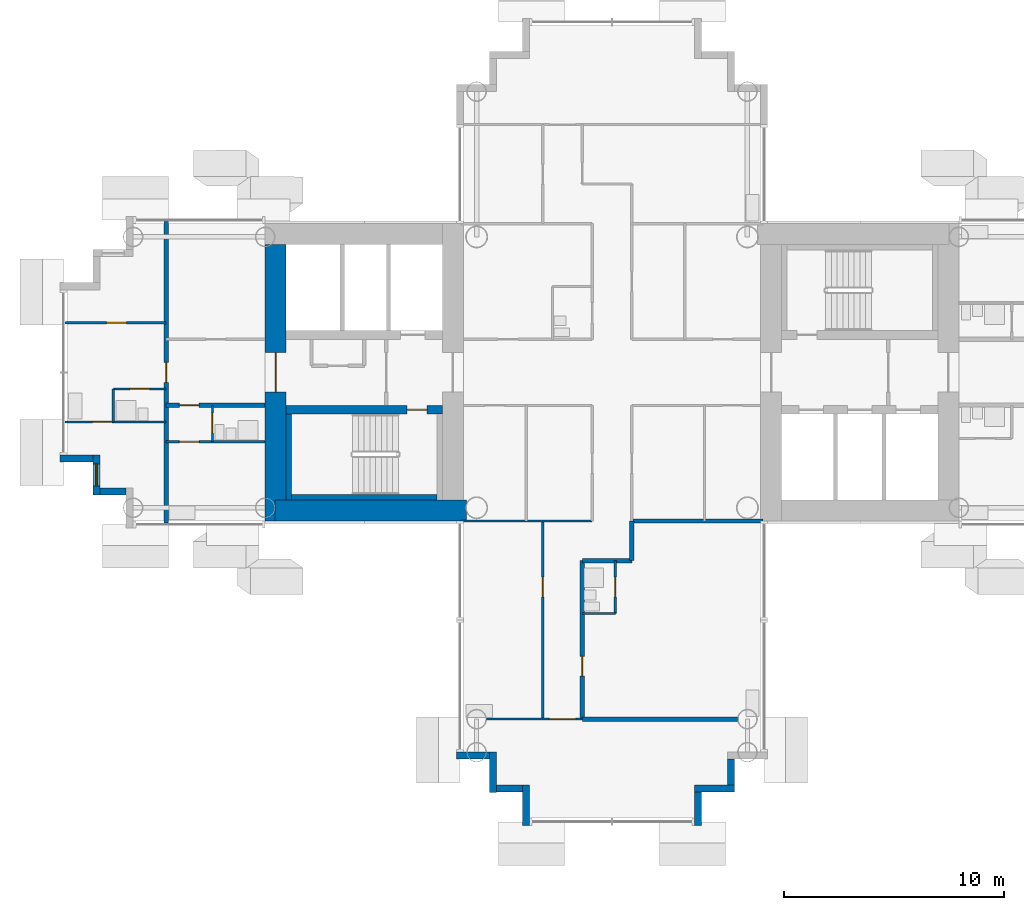
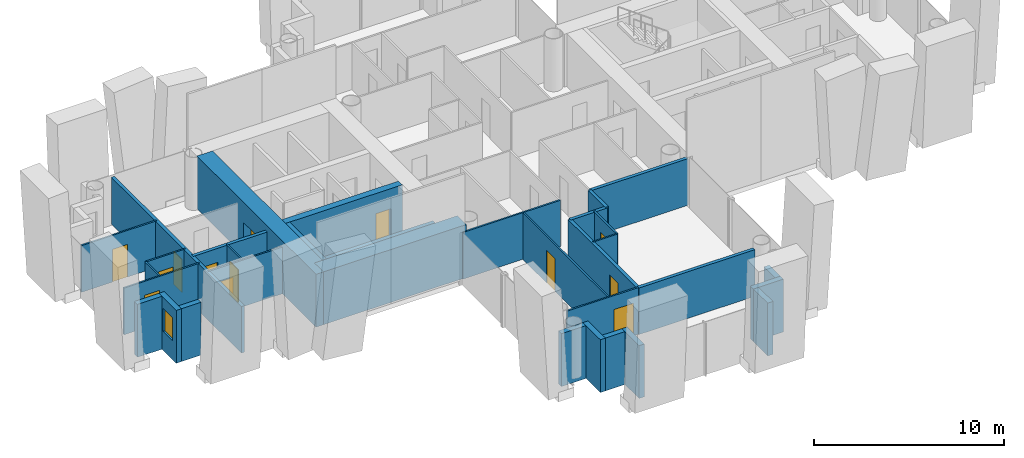
# One storey, part 8 of 21: 33 walls, 13 doors, 1 window, 14 openings.
"""IFC4 building model written with IfcOpenShell, lengths in metres."""

from ifc_helpers import new_model, si_unit, direction, frame, frame_2d, origin, place, context, subcontext, project, spatial, rectangle, extrude, material, layer, layer_set, type_object, element, fill, save


model = new_model("IFC4")

# Units and contexts
model_context = context("Model", 3, precision=1e-05, world=origin(), true_north=direction((0.0, 1.0)))
body_context = subcontext(model_context, "Body", "Model", "MODEL_VIEW")
ifc_project = project(units=[si_unit("LENGTHUNIT", "METRE"), si_unit("AREAUNIT", "SQUARE_METRE"), si_unit("VOLUMEUNIT", "CUBIC_METRE"), si_unit("PLANEANGLEUNIT", "RADIAN"), si_unit("MASSUNIT", "GRAM", prefix="KILO")], contexts=[model_context])

# Site, building, storey
site_placement = place(None, origin())
site = spatial("IfcSite", under=ifc_project, at=site_placement, CompositionType="ELEMENT")
building_placement = place(site_placement, origin())
building = spatial("IfcBuilding", under=site, at=building_placement, Name="Ipe Terrace Towers", CompositionType="ELEMENT")
storey_placement = place(building_placement, frame((0.0, 0.0, 107.199951171875)))
storey = spatial("IfcBuildingStorey", under=building, at=storey_placement, Name="L29", CompositionType="ELEMENT", Elevation=107.199951171875)

# Wall
ifc_material_1 = material(Name="Concrete C40/50 with buff precast cladding", Category="concrete")
ifc_layer_1 = layer(ifc_material_1, 0.320068359375)
ifc_layer_set_1 = layer_set([ifc_layer_1], Name="BUFF CLADDING WALL 320")
wall_type_1 = type_object("IfcWallType", Name="BUFF CLADDING WALL 320", PredefinedType="STANDARD", material=ifc_layer_set_1)
wall_1_placement = place(storey_placement, frame((-61.070068359375, -3.909912109375, -0.300048828125), z_axis=(0.0, 0.0, 1.0), x_axis=(1.0, 0.0, 0.0)))
element("IfcWall", 1, at=wall_1_placement, inside=storey, type_object=wall_type_1, Name="T1-W-L29-00a wall", PredefinedType="STANDARD", context=body_context, shape_type="SweptSolid", body=[
    extrude(rectangle(XDim=1.5, YDim=0.320068359375, at=frame_2d((0.75, 0.0))), origin(), (0.0, 0.0, 1.0), 3.400146484375),
])

# Wall, opening, window
wall_2_placement = place(storey_placement, frame((-59.409912109375, -3.75, -0.300048828125), z_axis=(0.0, 0.0, 1.0), x_axis=(0.0, -1.0, 0.0)))
wall_2 = element("IfcWall", 2, at=wall_2_placement, inside=storey, type_object=wall_type_1, Name="T1-W-L29-01a wall", PredefinedType="STANDARD", context=body_context, shape_type="SweptSolid", body=[
    extrude(rectangle(XDim=1.820068359375, YDim=0.320068359375, at=frame_2d((0.91015625, 0.0))), origin(), (0.0, 0.0, 1.0), 3.400146484375),
])
opening_1_placement = place(wall_2_placement, frame((0.409912109375, 0.0, 1.199951171875)))
opening_1 = element("IfcOpeningElement", 3, at=opening_1_placement, cuts=wall_2, Name="Opening T1-W-05-L29-01", PredefinedType="OPENING", context=body_context, shape_type="SweptSolid", body=[
    extrude(rectangle(XDim=1.0, YDim=1.5, at=frame_2d((0.5, 0.75))), frame((0.0, 0.169921875, 0.0), z_axis=(0.0, -1.0, 0.0), x_axis=(1.0, 0.0, 0.0)), (0.0, 0.0, 1.0), 0.340087890625),
])
ifc_material_2 = material(Name="Glass, clear laminated", Category="glass")
window_type = type_object("IfcWindowType", Name="DWELLING WINDOW 1000 x 1500", PartitioningType="SINGLE_PANEL", PredefinedType="WINDOW", material=ifc_material_2)
window_placement = place(opening_1_placement, origin())
window = element("IfcWindow", 4, at=window_placement, inside=storey, type_object=window_type, Name="W-05 window", OverallHeight=1.5, OverallWidth=1.0, PartitioningType="SINGLE_PANEL", PredefinedType="WINDOW", context=body_context, shape_type="SweptSolid", body=[
    extrude(rectangle(XDim=1.0, YDim=1.5, at=frame_2d((0.5, 0.75))), frame((0.0, 0.030029296875, 0.0), z_axis=(0.0, -1.0, 0.0), x_axis=(1.0, 0.0, 0.0)), (0.0, 0.0, 1.0), 0.06005859375),
])
fill(opening_1, window)

# Walls
wall_3_placement = place(storey_placement, frame((-59.25, -5.409912109375, -0.300048828125), z_axis=(0.0, 0.0, 1.0), x_axis=(1.0, 0.0, 0.0)))
element("IfcWall", 5, at=wall_3_placement, inside=storey, type_object=wall_type_1, Name="T1-W-L29-02a wall", PredefinedType="STANDARD", context=body_context, shape_type="SweptSolid", body=[
    extrude(rectangle(XDim=1.179931640625, YDim=0.320068359375, at=frame_2d((0.58984375, 0.0))), origin(), (0.0, 0.0, 1.0), 3.400146484375),
])
wall_4_placement = place(storey_placement, frame((-43.070068359375, -17.409912109375, -0.300048828125), z_axis=(0.0, 0.0, 1.0), x_axis=(1.0, 0.0, 0.0)))
element("IfcWall", 6, at=wall_4_placement, inside=storey, type_object=wall_type_1, Name="T1-W-L29-08a wall", PredefinedType="STANDARD", context=body_context, shape_type="SweptSolid", body=[
    extrude(rectangle(XDim=1.5, YDim=0.320068359375, at=frame_2d((0.75, 0.0))), origin(), (0.0, 0.0, 1.0), 3.400146484375),
])
wall_5_placement = place(storey_placement, frame((-41.409912109375, -17.25, -0.300048828125), z_axis=(0.0, 0.0, 1.0), x_axis=(0.0, -1.0, 0.0)))
element("IfcWall", 7, at=wall_5_placement, inside=storey, type_object=wall_type_1, Name="T1-W-L29-09a wall", PredefinedType="STANDARD", context=body_context, shape_type="SweptSolid", body=[
    extrude(rectangle(XDim=1.820068359375, YDim=0.320068359375, at=frame_2d((0.91015625, 0.0))), origin(), (0.0, 0.0, 1.0), 3.400146484375),
])
wall_6_placement = place(storey_placement, frame((-41.25, -18.909912109375, -0.300048828125), z_axis=(0.0, 0.0, 1.0), x_axis=(1.0, 0.0, 0.0)))
element("IfcWall", 8, at=wall_6_placement, inside=storey, type_object=wall_type_1, Name="T1-W-L29-10a wall", PredefinedType="STANDARD", context=body_context, shape_type="SweptSolid", body=[
    extrude(rectangle(XDim=1.179931640625, YDim=0.320068359375, at=frame_2d((0.58984375, 0.0))), origin(), (0.0, 0.0, 1.0), 3.400146484375),
])
wall_7_placement = place(storey_placement, frame((-39.909912109375, -18.75, -0.300048828125), z_axis=(0.0, 0.0, 1.0), x_axis=(0.0, -1.0, 0.0)))
element("IfcWall", 9, at=wall_7_placement, inside=storey, type_object=wall_type_1, Name="T1-W-L29-11a wall", PredefinedType="STANDARD", context=body_context, shape_type="SweptSolid", body=[
    extrude(rectangle(XDim=1.820068359375, YDim=0.320068359375, at=frame_2d((0.91015625, 0.0))), origin(), (0.0, 0.0, 1.0), 3.400146484375),
])
wall_8_placement = place(storey_placement, frame((-32.090087890625, -20.570068359375, -0.300048828125), z_axis=(0.0, 0.0, 1.0), x_axis=(0.0, 1.0, 0.0)))
element("IfcWall", 10, at=wall_8_placement, inside=storey, type_object=wall_type_1, Name="T1-W-L29-13a wall", PredefinedType="STANDARD", context=body_context, shape_type="SweptSolid", body=[
    extrude(rectangle(XDim=1.5, YDim=0.320068359375, at=frame_2d((0.75, 0.0))), origin(), (0.0, 0.0, 1.0), 3.400146484375),
])
wall_9_placement = place(storey_placement, frame((-32.25, -18.909912109375, -0.300048828125), z_axis=(0.0, 0.0, 1.0), x_axis=(1.0, 0.0, 0.0)))
element("IfcWall", 11, at=wall_9_placement, inside=storey, type_object=wall_type_1, Name="T1-W-L29-14a wall", PredefinedType="STANDARD", context=body_context, shape_type="SweptSolid", body=[
    extrude(rectangle(XDim=1.820068359375, YDim=0.320068359375, at=frame_2d((0.91015625, 0.0))), origin(), (0.0, 0.0, 1.0), 3.400146484375),
])
wall_10_placement = place(storey_placement, frame((-30.590087890625, -18.75, -0.300048828125), z_axis=(0.0, 0.0, 1.0), x_axis=(0.0, 1.0, 0.0)))
element("IfcWall", 12, at=wall_10_placement, inside=storey, type_object=wall_type_1, Name="T1-W-L29-15a wall", PredefinedType="STANDARD", context=body_context, shape_type="SweptSolid", body=[
    extrude(rectangle(XDim=1.179931640625, YDim=0.320068359375, at=frame_2d((0.58984375, 0.0))), origin(), (0.0, 0.0, 1.0), 3.400146484375),
])
ifc_material_3 = material(Name="Gypsum board partition", Category="plasterboard")
ifc_layer_2 = layer(ifc_material_3, 0.10009765625)
ifc_layer_set_2 = layer_set([ifc_layer_2], Name="Gypsum board partition 100 mm")
wall_type_2 = type_object("IfcWallType", Name="Gypsum board partition 100 mm", PredefinedType="PARTITIONING", material=ifc_layer_set_2)
wall_11_placement = place(storey_placement, frame((-58.64990234375, -2.25, 0.0), z_axis=(0.0, 0.0, 1.0), x_axis=(0.0, 1.0, 0.0)))
element("IfcWall", 13, at=wall_11_placement, inside=storey, type_object=wall_type_2, Name="Gypsum board partition T1 L29 W01", PredefinedType="PARTITIONING", context=body_context, shape_type="SweptSolid", body=[
    extrude(rectangle(XDim=1.5, YDim=0.10009765625, at=frame_2d((0.75, 0.0))), origin(), (0.0, 0.0, 1.0), 3.0),
])

# Wall, opening, door
wall_12_placement = place(storey_placement, frame((-54.14990234375, -3.14990234375, 0.0), z_axis=(0.0, 0.0, 1.0), x_axis=(0.0, 1.0, 0.0)))
wall_12 = element("IfcWall", 14, at=wall_12_placement, inside=storey, type_object=wall_type_2, Name="Gypsum board partition T1 L29 W03", PredefinedType="PARTITIONING", context=body_context, shape_type="SweptSolid", body=[
    extrude(rectangle(XDim=1.64990234375, YDim=0.10009765625, at=frame_2d((0.824951171875, 0.0))), origin(), (0.0, 0.0, 1.0), 3.0),
])
opening_2_placement = place(wall_12_placement, frame((0.39990234375, 0.0, 0.0)))
opening_2 = element("IfcOpeningElement", 15, at=opening_2_placement, cuts=wall_12, Name="Opening T1-Z2F-24", PredefinedType="OPENING", context=body_context, shape_type="SweptSolid", body=[
    extrude(rectangle(XDim=0.89990234375, YDim=2.10009765625, at=frame_2d((0.449951171875, 1.050048828125))), frame((0.0, 0.06005859375, 0.0), z_axis=(0.0, -1.0, 0.0), x_axis=(1.0, 0.0, 0.0)), (0.0, 0.0, 1.0), 0.1201171875),
])
ifc_material_4 = material(Name="Timber door leaf", Category="wood")
door_type_1 = type_object("IfcDoorType", Name="Bathroom door 900 x 2100", OperationType="NOTDEFINED", PredefinedType="DOOR", material=ifc_material_4)
door_1_placement = place(opening_2_placement, origin())
door_1 = element("IfcDoor", 16, at=door_1_placement, inside=storey, type_object=door_type_1, Name="Bathroom door T1-Z2F-24", OperationType="SINGLE_SWING_RIGHT", OverallHeight=2.10009765625, OverallWidth=0.89990234375, PredefinedType="DOOR", context=body_context, shape_type="SweptSolid", body=[
    extrude(rectangle(XDim=0.89990234375, YDim=2.10009765625, at=frame_2d((0.449951171875, 1.050048828125))), frame((0.0, 0.02490234375, 0.0), z_axis=(0.0, -1.0, 0.0), x_axis=(1.0, 0.0, 0.0)), (0.0, 0.0, 1.0), 0.050048828125),
])
fill(opening_2, door_1)

wall_13_placement = place(storey_placement, frame((-39.14990234375, -15.75, 0.0), z_axis=(0.0, 0.0, 1.0), x_axis=(0.0, 1.0, 0.0)))
wall_13 = element("IfcWall", 17, at=wall_13_placement, inside=storey, type_object=wall_type_2, Name="Gypsum board partition T1 L29 W05", PredefinedType="PARTITIONING", context=body_context, shape_type="SweptSolid", body=[
    extrude(rectangle(XDim=9.0, YDim=0.10009765625, at=frame_2d((4.5, 0.0))), origin(), (0.0, 0.0, 1.0), 3.0),
])
opening_3_placement = place(wall_13_placement, frame((5.550048828125, 0.0, 0.0)))
opening_3 = element("IfcOpeningElement", 18, at=opening_3_placement, cuts=wall_13, Name="Opening T1-Z2F-14", PredefinedType="OPENING", context=body_context, shape_type="SweptSolid", body=[
    extrude(rectangle(XDim=0.89990234375, YDim=2.10009765625, at=frame_2d((0.449951171875, 1.050048828125))), frame((0.0, 0.06005859375, 0.0), z_axis=(0.0, -1.0, 0.0), x_axis=(1.0, 0.0, 0.0)), (0.0, 0.0, 1.0), 0.1201171875),
])
ifc_material_5 = material(Name="Timber door leaf", Category="wood")
door_type_2 = type_object("IfcDoorType", Name="Lounge door 900 x 2100", OperationType="NOTDEFINED", PredefinedType="DOOR", material=ifc_material_5)
door_2_placement = place(opening_3_placement, origin())
door_2 = element("IfcDoor", 19, at=door_2_placement, inside=storey, type_object=door_type_2, Name="Lounge door T1-Z2F-14", OperationType="SINGLE_SWING_LEFT", OverallHeight=2.10009765625, OverallWidth=0.89990234375, PredefinedType="DOOR", context=body_context, shape_type="SweptSolid", body=[
    extrude(rectangle(XDim=0.89990234375, YDim=2.10009765625, at=frame_2d((0.449951171875, 1.050048828125))), frame((0.0, 0.02490234375, 0.0), z_axis=(0.0, -1.0, 0.0), x_axis=(1.0, 0.0, 0.0)), (0.0, 0.0, 1.0), 0.050048828125),
])
fill(opening_3, door_2)

wall_14_placement = place(storey_placement, frame((-35.85009765625, -10.949951171875, 0.0), z_axis=(0.0, 0.0, 1.0), x_axis=(0.0, 1.0, 0.0)))
wall_14 = element("IfcWall", 20, at=wall_14_placement, inside=storey, type_object=wall_type_2, Name="Gypsum board partition T1 L29 W12", PredefinedType="PARTITIONING", context=body_context, shape_type="SweptSolid", body=[
    extrude(rectangle(XDim=2.39990234375, YDim=0.10009765625, at=frame_2d((1.199951171875, 0.0))), origin(), (0.0, 0.0, 1.0), 3.0),
])
opening_4_placement = place(wall_14_placement, frame((0.75, 0.0, 0.0)))
opening_4 = element("IfcOpeningElement", 21, at=opening_4_placement, cuts=wall_14, Name="Opening T1-Z2F-13", PredefinedType="OPENING", context=body_context, shape_type="SweptSolid", body=[
    extrude(rectangle(XDim=0.89990234375, YDim=2.10009765625, at=frame_2d((0.449951171875, 1.050048828125))), frame((0.0, 0.06005859375, 0.0), z_axis=(0.0, -1.0, 0.0), x_axis=(1.0, 0.0, 0.0)), (0.0, 0.0, 1.0), 0.1201171875),
])
door_3_placement = place(opening_4_placement, origin())
door_3 = element("IfcDoor", 22, at=door_3_placement, inside=storey, type_object=door_type_1, Name="Bathroom door T1-Z2F-13", OperationType="SINGLE_SWING_LEFT", OverallHeight=2.10009765625, OverallWidth=0.89990234375, PredefinedType="DOOR", context=body_context, shape_type="SweptSolid", body=[
    extrude(rectangle(XDim=0.89990234375, YDim=2.10009765625, at=frame_2d((0.449951171875, 1.050048828125))), frame((0.0, 0.02490234375, 0.0), z_axis=(0.0, -1.0, 0.0), x_axis=(1.0, 0.0, 0.0)), (0.0, 0.0, 1.0), 0.050048828125),
])
fill(opening_4, door_3)

wall_15_placement = place(storey_placement, frame((-41.699951171875, -15.75, 0.0), z_axis=(0.0, 0.0, 1.0), x_axis=(1.0, 0.0, 0.0)))
wall_15 = element("IfcWall", 23, at=wall_15_placement, inside=storey, type_object=wall_type_2, Name="Gypsum board partition T1 L29 W23", PredefinedType="PARTITIONING", context=body_context, shape_type="SweptSolid", body=[
    extrude(rectangle(XDim=4.349853515625, YDim=0.10009765625, at=frame_2d((2.1748046875, 0.0))), origin(), (0.0, 0.0, 1.0), 3.0),
])
opening_5_placement = place(wall_15_placement, frame((2.85009765625, 0.0, 0.0)))
opening_5 = element("IfcOpeningElement", 24, at=opening_5_placement, cuts=wall_15, Name="Opening T1-Z2F-15", PredefinedType="OPENING", context=body_context, shape_type="SweptSolid", body=[
    extrude(rectangle(XDim=1.199951171875, YDim=2.10009765625, at=frame_2d((0.60009765625, 1.050048828125))), frame((0.0, 0.06005859375, 0.0), z_axis=(0.0, -1.0, 0.0), x_axis=(1.0, 0.0, 0.0)), (0.0, 0.0, 1.0), 0.1201171875),
])
ifc_material_6 = material(Name="Timber door leaf", Category="wood")
door_type_3 = type_object("IfcDoorType", Name="Lounge door 1200 x 2100", OperationType="NOTDEFINED", PredefinedType="DOOR", material=ifc_material_6)
door_4_placement = place(opening_5_placement, origin())
door_4 = element("IfcDoor", 25, at=door_4_placement, inside=storey, type_object=door_type_3, Name="Lounge door T1-Z2F-15", OperationType="SINGLE_SWING_RIGHT", OverallHeight=2.10009765625, OverallWidth=1.199951171875, PredefinedType="DOOR", context=body_context, shape_type="SweptSolid", body=[
    extrude(rectangle(XDim=1.199951171875, YDim=2.10009765625, at=frame_2d((0.60009765625, 1.050048828125))), frame((0.0, 0.02490234375, 0.0), z_axis=(0.0, -1.0, 0.0), x_axis=(1.0, 0.0, 0.0)), (0.0, 0.0, 1.0), 0.050048828125),
])
fill(opening_5, door_4)

# Walls
wall_16_placement = place(storey_placement, frame((-37.35009765625, -10.949951171875, 0.0), z_axis=(0.0, 0.0, 1.0), x_axis=(1.0, 0.0, 0.0)))
element("IfcWall", 26, at=wall_16_placement, inside=storey, type_object=wall_type_2, Name="Gypsum board partition T1 L29 W25", PredefinedType="PARTITIONING", context=body_context, shape_type="SweptSolid", body=[
    extrude(rectangle(XDim=1.5, YDim=0.10009765625, at=frame_2d((0.75, 0.0))), origin(), (0.0, 0.0, 1.0), 3.0),
])
wall_17_placement = place(storey_placement, frame((-42.85009765625, -6.75, 0.0), z_axis=(0.0, 0.0, 1.0), x_axis=(1.0, 0.0, 0.0)))
element("IfcWall", 27, at=wall_17_placement, inside=storey, type_object=wall_type_2, Name="Gypsum board partition T1 L29 W27", PredefinedType="PARTITIONING", context=body_context, shape_type="SweptSolid", body=[
    extrude(rectangle(XDim=5.9501953125, YDim=0.10009765625, at=frame_2d((2.97509765625, 0.0))), origin(), (0.0, 0.0, 1.0), 3.0),
])

# Wall, opening, door
wall_18_placement = place(storey_placement, frame((-56.25, -3.14990234375, 0.0), z_axis=(0.0, 0.0, 1.0), x_axis=(1.0, 0.0, 0.0)))
wall_18 = element("IfcWall", 28, at=wall_18_placement, inside=storey, type_object=wall_type_2, Name="Gypsum board partition T1 L29 W29", PredefinedType="PARTITIONING", context=body_context, shape_type="SweptSolid", body=[
    extrude(rectangle(XDim=4.5, YDim=0.10009765625, at=frame_2d((2.25, 0.0))), origin(), (0.0, 0.0, 1.0), 3.0),
])
opening_6_placement = place(wall_18_placement, frame((0.60009765625, 0.0, 0.0)))
opening_6 = element("IfcOpeningElement", 29, at=opening_6_placement, cuts=wall_18, Name="Opening T1-Z2F-23", PredefinedType="OPENING", context=body_context, shape_type="SweptSolid", body=[
    extrude(rectangle(XDim=0.89990234375, YDim=2.10009765625, at=frame_2d((0.449951171875, 1.050048828125))), frame((0.0, 0.06005859375, 0.0), z_axis=(0.0, -1.0, 0.0), x_axis=(1.0, 0.0, 0.0)), (0.0, 0.0, 1.0), 0.1201171875),
])
ifc_material_7 = material(Name="Timber door leaf", Category="wood")
door_type_4 = type_object("IfcDoorType", Name="Bedroom door 900 x 2100", OperationType="NOTDEFINED", PredefinedType="DOOR", material=ifc_material_7)
door_5_placement = place(opening_6_placement, origin())
door_5 = element("IfcDoor", 30, at=door_5_placement, inside=storey, type_object=door_type_4, Name="Bedroom door T1-Z2F-23", OperationType="SINGLE_SWING_LEFT", OverallHeight=2.10009765625, OverallWidth=0.89990234375, PredefinedType="DOOR", context=body_context, shape_type="SweptSolid", body=[
    extrude(rectangle(XDim=0.89990234375, YDim=2.10009765625, at=frame_2d((0.449951171875, 1.050048828125))), frame((0.0, 0.02490234375, 0.0), z_axis=(0.0, -1.0, 0.0), x_axis=(1.0, 0.0, 0.0)), (0.0, 0.0, 1.0), 0.050048828125),
])
fill(opening_6, door_5)

wall_19_placement = place(storey_placement, frame((-60.85009765625, -2.25, 0.0), z_axis=(0.0, 0.0, 1.0), x_axis=(1.0, 0.0, 0.0)))
wall_19 = element("IfcWall", 31, at=wall_19_placement, inside=storey, type_object=wall_type_2, Name="Gypsum board partition T1 L29 W31", PredefinedType="PARTITIONING", context=body_context, shape_type="SweptSolid", body=[
    extrude(rectangle(XDim=4.60009765625, YDim=0.10009765625, at=frame_2d((2.300048828125, 0.0))), origin(), (0.0, 0.0, 1.0), 3.0),
])
opening_7_placement = place(wall_19_placement, frame((1.25, 0.0, 0.0)))
opening_7 = element("IfcOpeningElement", 32, at=opening_7_placement, cuts=wall_19, Name="Opening T1-Z2F-28", PredefinedType="OPENING", context=body_context, shape_type="SweptSolid", body=[
    extrude(rectangle(XDim=0.89990234375, YDim=2.10009765625, at=frame_2d((0.449951171875, 1.050048828125))), frame((0.0, 0.06005859375, 0.0), z_axis=(0.0, -1.0, 0.0), x_axis=(1.0, 0.0, 0.0)), (0.0, 0.0, 1.0), 0.1201171875),
])
door_6_placement = place(opening_7_placement, origin())
door_6 = element("IfcDoor", 33, at=door_6_placement, inside=storey, type_object=door_type_4, Name="Bedroom door T1-Z2F-28", OperationType="SINGLE_SWING_LEFT", OverallHeight=2.10009765625, OverallWidth=0.89990234375, PredefinedType="DOOR", context=body_context, shape_type="SweptSolid", body=[
    extrude(rectangle(XDim=0.89990234375, YDim=2.10009765625, at=frame_2d((0.449951171875, 1.050048828125))), frame((0.0, 0.02490234375, 0.0), z_axis=(0.0, -1.0, 0.0), x_axis=(1.0, 0.0, 0.0)), (0.0, 0.0, 1.0), 0.050048828125),
])
fill(opening_7, door_6)

wall_20_placement = place(storey_placement, frame((-58.64990234375, -0.75, 0.0), z_axis=(0.0, 0.0, 1.0), x_axis=(1.0, 0.0, 0.0)))
wall_20 = element("IfcWall", 34, at=wall_20_placement, inside=storey, type_object=wall_type_2, Name="Gypsum board partition T1 L29 W36", PredefinedType="PARTITIONING", context=body_context, shape_type="SweptSolid", body=[
    extrude(rectangle(XDim=2.39990234375, YDim=0.10009765625, at=frame_2d((1.199951171875, 0.0))), origin(), (0.0, 0.0, 1.0), 3.0),
])
opening_8_placement = place(wall_20_placement, frame((0.75, 0.0, 0.0)))
opening_8 = element("IfcOpeningElement", 35, at=opening_8_placement, cuts=wall_20, Name="Opening T1-Z2F-26", PredefinedType="OPENING", context=body_context, shape_type="SweptSolid", body=[
    extrude(rectangle(XDim=0.89990234375, YDim=2.10009765625, at=frame_2d((0.449951171875, 1.050048828125))), frame((0.0, 0.06005859375, 0.0), z_axis=(0.0, -1.0, 0.0), x_axis=(1.0, 0.0, 0.0)), (0.0, 0.0, 1.0), 0.1201171875),
])
door_7_placement = place(opening_8_placement, origin())
door_7 = element("IfcDoor", 36, at=door_7_placement, inside=storey, type_object=door_type_1, Name="Bathroom door T1-Z2F-26", OperationType="SINGLE_SWING_RIGHT", OverallHeight=2.10009765625, OverallWidth=0.89990234375, PredefinedType="DOOR", context=body_context, shape_type="SweptSolid", body=[
    extrude(rectangle(XDim=0.89990234375, YDim=2.10009765625, at=frame_2d((0.449951171875, 1.050048828125))), frame((0.0, 0.02490234375, 0.0), z_axis=(0.0, -1.0, 0.0), x_axis=(1.0, 0.0, 0.0)), (0.0, 0.0, 1.0), 0.050048828125),
])
fill(opening_8, door_7)

wall_21_placement = place(storey_placement, frame((-60.85009765625, 2.25, 0.0), z_axis=(0.0, 0.0, 1.0), x_axis=(1.0, 0.0, 0.0)))
wall_21 = element("IfcWall", 37, at=wall_21_placement, inside=storey, type_object=wall_type_2, Name="Gypsum board partition T1 L29 W41", PredefinedType="PARTITIONING", context=body_context, shape_type="SweptSolid", body=[
    extrude(rectangle(XDim=4.60009765625, YDim=0.10009765625, at=frame_2d((2.300048828125, 0.0))), origin(), (0.0, 0.0, 1.0), 3.0),
])
opening_9_placement = place(wall_21_placement, frame((1.89990234375, 0.0, 0.0)))
opening_9 = element("IfcOpeningElement", 38, at=opening_9_placement, cuts=wall_21, Name="Opening T1-Z2F-29", PredefinedType="OPENING", context=body_context, shape_type="SweptSolid", body=[
    extrude(rectangle(XDim=0.89990234375, YDim=2.10009765625, at=frame_2d((0.449951171875, 1.050048828125))), frame((0.0, 0.06005859375, 0.0), z_axis=(0.0, -1.0, 0.0), x_axis=(1.0, 0.0, 0.0)), (0.0, 0.0, 1.0), 0.1201171875),
])
door_8_placement = place(opening_9_placement, origin())
door_8 = element("IfcDoor", 39, at=door_8_placement, inside=storey, type_object=door_type_4, Name="Bedroom door T1-Z2F-29", OperationType="SINGLE_SWING_LEFT", OverallHeight=2.10009765625, OverallWidth=0.89990234375, PredefinedType="DOOR", context=body_context, shape_type="SweptSolid", body=[
    extrude(rectangle(XDim=0.89990234375, YDim=2.10009765625, at=frame_2d((0.449951171875, 1.050048828125))), frame((0.0, 0.02490234375, 0.0), z_axis=(0.0, -1.0, 0.0), x_axis=(1.0, 0.0, 0.0)), (0.0, 0.0, 1.0), 0.050048828125),
])
fill(opening_9, door_8)

ifc_material_8 = material(Name="Gypsum board party wall", Category="plasterboard")
ifc_layer_3 = layer(ifc_material_8, 0.199951171875)
ifc_layer_set_3 = layer_set([ifc_layer_3], Name="Gypsum board party wall 200 mm")
wall_type_3 = type_object("IfcWallType", Name="Gypsum board party wall 200 mm", PredefinedType="SOLIDWALL", material=ifc_layer_set_3)
wall_22_placement = place(storey_placement, frame((-56.25, -6.85009765625, 0.0), z_axis=(0.0, 0.0, 1.0), x_axis=(0.0, 1.0, 0.0)))
wall_22 = element("IfcWall", 40, at=wall_22_placement, inside=storey, type_object=wall_type_3, Name="Gypsum board party wall T1 L29 W02", PredefinedType="SOLIDWALL", context=body_context, shape_type="SweptSolid", body=[
    extrude(rectangle(XDim=13.7001953125, YDim=0.199951171875, at=frame_2d((6.85009765625, 0.0))), origin(), (0.0, 0.0, 1.0), 3.0),
])
opening_10_placement = place(wall_22_placement, frame((6.39990234375, 0.0, 0.0)))
opening_10 = element("IfcOpeningElement", 41, at=opening_10_placement, cuts=wall_22, Name="Opening T1-Z2F-27", PredefinedType="OPENING", context=body_context, shape_type="SweptSolid", body=[
    extrude(rectangle(XDim=0.89990234375, YDim=2.10009765625, at=frame_2d((0.449951171875, 1.050048828125))), frame((0.0, 0.10986328125, 0.0), z_axis=(0.0, -1.0, 0.0), x_axis=(1.0, 0.0, 0.0)), (0.0, 0.0, 1.0), 0.219970703125),
])
ifc_material_9 = material(Name="Fire-rated timber door leaf", Category="wood")
door_type_5 = type_object("IfcDoorType", Name="Flat entrance door 900 x 2100 FD30S", OperationType="NOTDEFINED", PredefinedType="DOOR", material=ifc_material_9)
door_9_placement = place(opening_10_placement, origin())
door_9 = element("IfcDoor", 42, at=door_9_placement, inside=storey, type_object=door_type_5, Name="Flat entrance door T1-Z2F-27", OperationType="SINGLE_SWING_LEFT", OverallHeight=2.10009765625, OverallWidth=0.89990234375, PredefinedType="DOOR", context=body_context, shape_type="SweptSolid", body=[
    extrude(rectangle(XDim=0.89990234375, YDim=2.10009765625, at=frame_2d((0.449951171875, 1.050048828125))), frame((0.0, 0.02490234375, 0.0), z_axis=(0.0, -1.0, 0.0), x_axis=(1.0, 0.0, 0.0)), (0.0, 0.0, 1.0), 0.050048828125),
])
fill(opening_10, door_9)

wall_23_placement = place(storey_placement, frame((-37.35009765625, -15.75, 0.0), z_axis=(0.0, 0.0, 1.0), x_axis=(0.0, 1.0, 0.0)))
wall_23 = element("IfcWall", 43, at=wall_23_placement, inside=storey, type_object=wall_type_3, Name="Gypsum board party wall T1 L29 W09", PredefinedType="SOLIDWALL", context=body_context, shape_type="SweptSolid", body=[
    extrude(rectangle(XDim=7.199951171875, YDim=0.199951171875, at=frame_2d((3.60009765625, 0.0))), origin(), (0.0, 0.0, 1.0), 3.0),
])
opening_11_placement = place(wall_23_placement, frame((1.949951171875, 0.0, 0.0)))
opening_11 = element("IfcOpeningElement", 44, at=opening_11_placement, cuts=wall_23, Name="Opening T1-Z2F-12", PredefinedType="OPENING", context=body_context, shape_type="SweptSolid", body=[
    extrude(rectangle(XDim=0.89990234375, YDim=2.10009765625, at=frame_2d((0.449951171875, 1.050048828125))), frame((0.0, 0.10986328125, 0.0), z_axis=(0.0, -1.0, 0.0), x_axis=(1.0, 0.0, 0.0)), (0.0, 0.0, 1.0), 0.219970703125),
])
door_10_placement = place(opening_11_placement, origin())
door_10 = element("IfcDoor", 45, at=door_10_placement, inside=storey, type_object=door_type_5, Name="Flat entrance door T1-Z2F-12", OperationType="SINGLE_SWING_LEFT", OverallHeight=2.10009765625, OverallWidth=0.89990234375, PredefinedType="DOOR", context=body_context, shape_type="SweptSolid", body=[
    extrude(rectangle(XDim=0.89990234375, YDim=2.10009765625, at=frame_2d((0.449951171875, 1.050048828125))), frame((0.0, 0.02490234375, 0.0), z_axis=(0.0, -1.0, 0.0), x_axis=(1.0, 0.0, 0.0)), (0.0, 0.0, 1.0), 0.050048828125),
])
fill(opening_11, door_10)

# Walls
wall_24_placement = place(storey_placement, frame((-35.10009765625, -8.550048828125, 0.0), z_axis=(0.0, 0.0, 1.0), x_axis=(0.0, 1.0, 0.0)))
element("IfcWall", 46, at=wall_24_placement, inside=storey, type_object=wall_type_3, Name="Gypsum board party wall T1 L29 W15", PredefinedType="SOLIDWALL", context=body_context, shape_type="SweptSolid", body=[
    extrude(rectangle(XDim=1.800048828125, YDim=0.199951171875, at=frame_2d((0.89990234375, 0.0))), origin(), (0.0, 0.0, 1.0), 3.0),
])
wall_25_placement = place(storey_placement, frame((-37.35009765625, -15.75, 0.0), z_axis=(0.0, 0.0, 1.0), x_axis=(1.0, 0.0, 0.0)))
element("IfcWall", 47, at=wall_25_placement, inside=storey, type_object=wall_type_3, Name="Gypsum board party wall T1 L29 W24", PredefinedType="SOLIDWALL", context=body_context, shape_type="SweptSolid", body=[
    extrude(rectangle(XDim=7.050048828125, YDim=0.199951171875, at=frame_2d((3.52490234375, 0.0))), origin(), (0.0, 0.0, 1.0), 3.0),
])
wall_26_placement = place(storey_placement, frame((-37.35009765625, -8.550048828125, 0.0), z_axis=(0.0, 0.0, 1.0), x_axis=(1.0, 0.0, 0.0)))
element("IfcWall", 48, at=wall_26_placement, inside=storey, type_object=wall_type_3, Name="Gypsum board party wall T1 L29 W26", PredefinedType="SOLIDWALL", context=body_context, shape_type="SweptSolid", body=[
    extrude(rectangle(XDim=2.25, YDim=0.199951171875, at=frame_2d((1.125, 0.0))), origin(), (0.0, 0.0, 1.0), 3.0),
])
wall_27_placement = place(storey_placement, frame((-35.10009765625, -6.75, 0.0), z_axis=(0.0, 0.0, 1.0), x_axis=(1.0, 0.0, 0.0)))
element("IfcWall", 49, at=wall_27_placement, inside=storey, type_object=wall_type_3, Name="Gypsum board party wall T1 L29 W28", PredefinedType="SOLIDWALL", context=body_context, shape_type="SweptSolid", body=[
    extrude(rectangle(XDim=5.9501953125, YDim=0.199951171875, at=frame_2d((2.97509765625, 0.0))), origin(), (0.0, 0.0, 1.0), 3.0),
])

# Wall, opening, door
wall_28_placement = place(storey_placement, frame((-56.25, -1.5, 0.0), z_axis=(0.0, 0.0, 1.0), x_axis=(1.0, 0.0, 0.0)))
wall_28 = element("IfcWall", 50, at=wall_28_placement, inside=storey, type_object=wall_type_3, Name="Gypsum board party wall T1 L29 W34", PredefinedType="SOLIDWALL", context=body_context, shape_type="SweptSolid", body=[
    extrude(rectangle(XDim=4.5, YDim=0.199951171875, at=frame_2d((2.25, 0.0))), origin(), (0.0, 0.0, 1.0), 3.0),
])
opening_12_placement = place(wall_28_placement, frame((0.60009765625, 0.0, 0.0)))
opening_12 = element("IfcOpeningElement", 51, at=opening_12_placement, cuts=wall_28, Name="Opening T1-Z2F-22", PredefinedType="OPENING", context=body_context, shape_type="SweptSolid", body=[
    extrude(rectangle(XDim=0.89990234375, YDim=2.10009765625, at=frame_2d((0.449951171875, 1.050048828125))), frame((0.0, 0.10986328125, 0.0), z_axis=(0.0, -1.0, 0.0), x_axis=(1.0, 0.0, 0.0)), (0.0, 0.0, 1.0), 0.219970703125),
])
door_11_placement = place(opening_12_placement, origin())
door_11 = element("IfcDoor", 52, at=door_11_placement, inside=storey, type_object=door_type_5, Name="Flat entrance door T1-Z2F-22", OperationType="SINGLE_SWING_LEFT", OverallHeight=2.10009765625, OverallWidth=0.89990234375, PredefinedType="DOOR", context=body_context, shape_type="SweptSolid", body=[
    extrude(rectangle(XDim=0.89990234375, YDim=2.10009765625, at=frame_2d((0.449951171875, 1.050048828125))), frame((0.0, 0.02490234375, 0.0), z_axis=(0.0, -1.0, 0.0), x_axis=(1.0, 0.0, 0.0)), (0.0, 0.0, 1.0), 0.050048828125),
])
fill(opening_12, door_11)

# Walls
ifc_material_10 = material(Name="Concrete C50/60", Category="concrete")
ifc_layer_4 = layer(ifc_material_10, 0.25)
ifc_layer_set_4 = layer_set([ifc_layer_4], Name="RW250 CORE INFILL WALL 250 C50-60")
wall_type_4 = type_object("IfcWallType", Name="RW250 CORE INFILL WALL 250 C50-60", PredefinedType="SHEAR", material=ifc_layer_set_4)
wall_29_placement = place(storey_placement, frame((-50.675048828125, -1.89990234375, 0.0), z_axis=(0.0, 0.0, 1.0), x_axis=(0.0, -1.0, 0.0)))
element("IfcWall", 53, at=wall_29_placement, inside=storey, type_object=wall_type_4, Name="Core infill wall T1-C2-far", PredefinedType="SHEAR", context=body_context, shape_type="SweptSolid", body=[
    extrude(rectangle(XDim=3.900146484375, YDim=0.25, at=frame_2d((1.9501953125, 0.0))), origin(), (0.0, 0.0, 1.0), 3.400146484375),
])
wall_30_placement = place(storey_placement, frame((-43.949951171875, -5.675048828125, 0.0), z_axis=(0.0, 0.0, 1.0), x_axis=(-1.0, 0.0, 0.0)))
element("IfcWall", 54, at=wall_30_placement, inside=storey, type_object=wall_type_4, Name="Core infill wall T1-C2-back", PredefinedType="SHEAR", context=body_context, shape_type="SweptSolid", body=[
    extrude(rectangle(XDim=6.60009765625, YDim=0.25, at=frame_2d((3.300048828125, 0.0))), origin(), (0.0, 0.0, 1.0), 3.400146484375),
])

# Wall, opening, door
ifc_material_11 = material(Name="Concrete C50/60", Category="concrete")
ifc_layer_5 = layer(ifc_material_11, 0.39990234375)
ifc_layer_set_5 = layer_set([ifc_layer_5], Name="RW400 CORE SPINE WALL 400 C50-60")
wall_type_5 = type_object("IfcWallType", Name="RW400 CORE SPINE WALL 400 C50-60", PredefinedType="SHEAR", material=ifc_layer_set_5)
wall_31_placement = place(storey_placement, frame((-50.800048828125, -1.699951171875, 0.0), z_axis=(0.0, 0.0, 1.0), x_axis=(1.0, 0.0, 0.0)))
wall_31 = element("IfcWall", 55, at=wall_31_placement, inside=storey, type_object=wall_type_5, Name="Core spine wall T1-C2-Z2-SW1", PredefinedType="SHEAR", context=body_context, shape_type="SweptSolid", body=[
    extrude(rectangle(XDim=7.10009765625, YDim=0.39990234375, at=frame_2d((3.550048828125, 0.0))), origin(), (0.0, 0.0, 1.0), 3.400146484375),
])
opening_13_placement = place(wall_31_placement, frame((5.5, 0.0, 0.0)))
opening_13 = element("IfcOpeningElement", 56, at=opening_13_placement, cuts=wall_31, Name="Opening T1C2-SD", PredefinedType="OPENING", context=body_context, shape_type="SweptSolid", body=[
    extrude(rectangle(XDim=0.89990234375, YDim=2.10009765625, at=frame_2d((0.449951171875, 1.050048828125))), frame((0.0, 0.2099609375, 0.0), z_axis=(0.0, -1.0, 0.0), x_axis=(1.0, 0.0, 0.0)), (0.0, 0.0, 1.0), 0.419921875),
])
ifc_material_12 = material(Name="Fire-rated timber door leaf", Category="wood")
door_type_6 = type_object("IfcDoorType", Name="Stair door 900 x 2100 FD60", OperationType="NOTDEFINED", PredefinedType="DOOR", material=ifc_material_12)
door_12_placement = place(opening_13_placement, origin())
door_12 = element("IfcDoor", 57, at=door_12_placement, inside=storey, type_object=door_type_6, Name="Stair door T1C2-SD", OperationType="SINGLE_SWING_RIGHT", OverallHeight=2.10009765625, OverallWidth=0.89990234375, PredefinedType="DOOR", context=body_context, shape_type="SweptSolid", body=[
    extrude(rectangle(XDim=0.89990234375, YDim=2.10009765625, at=frame_2d((0.449951171875, 1.050048828125))), frame((0.0, 0.02490234375, 0.0), z_axis=(0.0, -1.0, 0.0), x_axis=(1.0, 0.0, 0.0)), (0.0, 0.0, 1.0), 0.050048828125),
])
fill(opening_13, door_12)

# Wall
ifc_material_13 = material(Name="Concrete C50/60", Category="concrete")
ifc_layer_6 = layer(ifc_material_13, 0.949951171875)
ifc_layer_set_6 = layer_set([ifc_layer_6], Name="RW950 CORE WALL 950 C50-60")
wall_type_6 = type_object("IfcWallType", Name="RW950 CORE WALL 950 C50-60", PredefinedType="SHEAR", material=ifc_layer_set_6)
wall_32_placement = place(storey_placement, frame((-51.298095703125, -6.27490234375, 0.0), z_axis=(0.0, 0.0, 1.0), x_axis=(1.0, 0.0, 0.0)))
element("IfcWall", 58, at=wall_32_placement, inside=storey, type_object=wall_type_6, Name="Core wall T1-C2-Z2-W01", PredefinedType="SHEAR", context=body_context, shape_type="SweptSolid", body=[
    extrude(rectangle(XDim=8.696044921875, YDim=0.949951171875, at=frame_2d((4.34814453125, 0.0))), origin(), (0.0, 0.0, 1.0), 3.400146484375),
])

# Wall, opening, door
wall_33_placement = place(storey_placement, frame((-51.27490234375, 5.800048828125, 0.0), z_axis=(0.0, 0.0, 1.0), x_axis=(0.0, -1.0, 0.0)))
wall_33 = element("IfcWall", 59, at=wall_33_placement, inside=storey, type_object=wall_type_6, Name="Core wall T1-C2-Z2-W04", PredefinedType="SHEAR", context=body_context, shape_type="SweptSolid", body=[
    extrude(rectangle(XDim=12.550048828125, YDim=0.949951171875, at=frame_2d((6.27490234375, 0.0))), origin(), (0.0, 0.0, 1.0), 3.400146484375),
])
opening_14_placement = place(wall_33_placement, frame((4.89990234375, 0.0, 0.0)))
opening_14 = element("IfcOpeningElement", 60, at=opening_14_placement, cuts=wall_33, Name="Opening T1C2-FD", PredefinedType="OPENING", context=body_context, shape_type="SweptSolid", body=[
    extrude(rectangle(XDim=1.800048828125, YDim=2.10009765625, at=frame_2d((0.89990234375, 1.050048828125))), frame((0.0, 0.48486328125, 0.0), z_axis=(0.0, -1.0, 0.0), x_axis=(1.0, 0.0, 0.0)), (0.0, 0.0, 1.0), 0.969970703125),
])
ifc_material_14 = material(Name="Fire-rated timber door leaf", Category="wood")
door_type_7 = type_object("IfcDoorType", Name="Fire door 1800 x 2100 FD30S", OperationType="NOTDEFINED", PredefinedType="DOOR", material=ifc_material_14)
door_13_placement = place(opening_14_placement, origin())
door_13 = element("IfcDoor", 61, at=door_13_placement, inside=storey, type_object=door_type_7, Name="Fire door T1C2-FD", OperationType="SINGLE_SWING_LEFT", OverallHeight=2.10009765625, OverallWidth=1.800048828125, PredefinedType="DOOR", context=body_context, shape_type="SweptSolid", body=[
    extrude(rectangle(XDim=1.800048828125, YDim=2.10009765625, at=frame_2d((0.89990234375, 1.050048828125))), frame((0.0, 0.02490234375, 0.0), z_axis=(0.0, -1.0, 0.0), x_axis=(1.0, 0.0, 0.0)), (0.0, 0.0, 1.0), 0.050048828125),
])
fill(opening_14, door_13)

save(model, "model.ifc")
